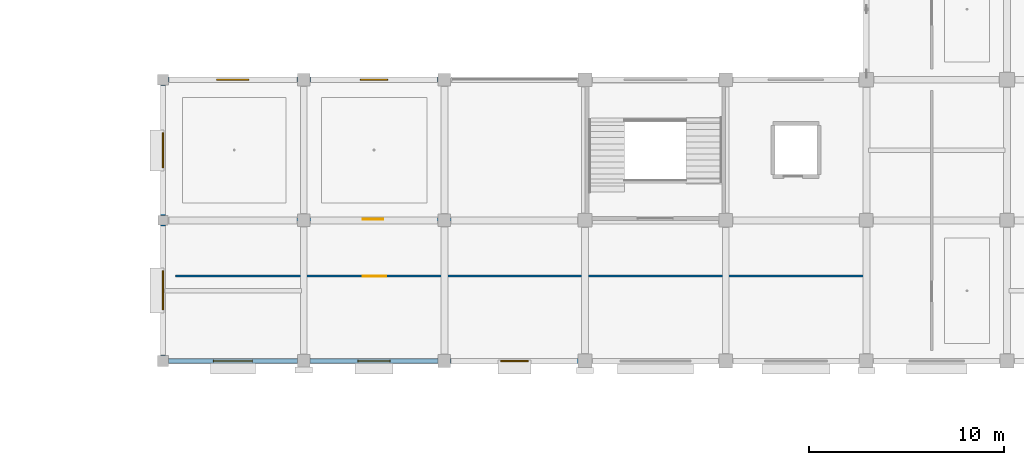
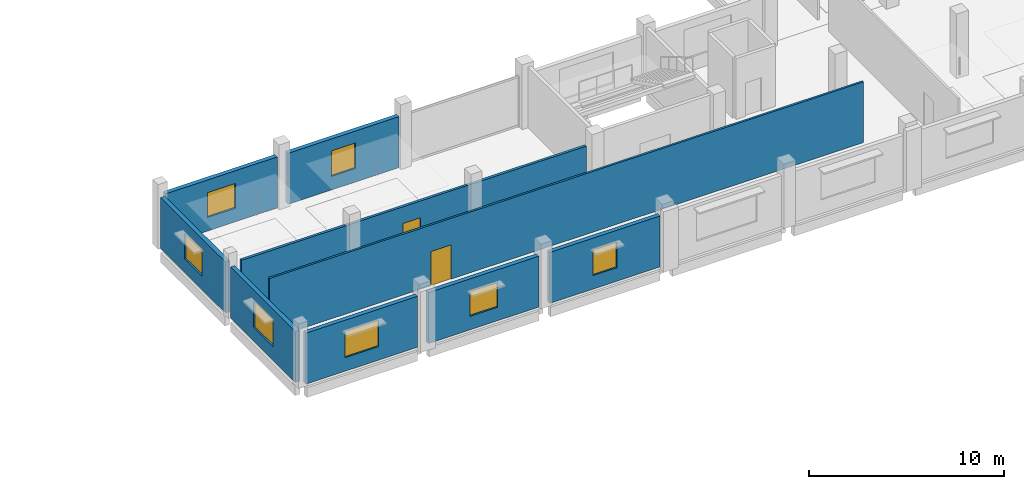
# One storey, part 81 of 108: 9 walls, 7 windows, 2 doors, 9 openings.
"""IFC4 building model written with IfcOpenShell, lengths in metres."""

from ifc_helpers import new_model, si_unit, direction, frame, frame_2d, origin, place, context, subcontext, project, spatial, rectangle, extrude, material, layer, layer_set, type_object, element, fill, save


model = new_model("IFC4")

# Units and contexts
model_context = context("Model", 3, precision=1e-05, world=origin(), true_north=direction((0.0, 1.0)))
body_context = subcontext(model_context, "Body", "Model", "MODEL_VIEW")
ifc_project = project(units=[si_unit("LENGTHUNIT", "METRE"), si_unit("AREAUNIT", "SQUARE_METRE"), si_unit("VOLUMEUNIT", "CUBIC_METRE"), si_unit("PLANEANGLEUNIT", "RADIAN"), si_unit("MASSUNIT", "GRAM", prefix="KILO")], contexts=[model_context])

# Site, building, storey
site_placement = place(None, origin())
site = spatial("IfcSite", under=ifc_project, at=site_placement, CompositionType="ELEMENT")
building_placement = place(site_placement, origin())
building = spatial("IfcBuilding", under=site, at=building_placement, Name="Kangsadwip Square Police Headquarters", CompositionType="ELEMENT")
storey_placement = place(building_placement, frame((0.0, 0.0, 9.449951171875)))
storey = spatial("IfcBuildingStorey", under=building, at=storey_placement, Name="L02", CompositionType="ELEMENT", Elevation=9.449951171875)

# Wall, opening, door
ifc_material_1 = material(Name="Fire-rated double gypsum board acoustic stud partition", Category="masonry")
ifc_layer_1 = layer(ifc_material_1, 0.1201171875)
ifc_layer_set_1 = layer_set([ifc_layer_1], Name="Fire-rated double gypsum board acoustic stud partition")
wall_type_1 = type_object("IfcWallType", Name="AcousticPartition120", PredefinedType="PARTITIONING", material=ifc_layer_set_1)
wall_1_placement = place(storey_placement, frame((108.64990234375, 25.949951171875, 0.0), z_axis=(0.0, 0.0, 1.0), x_axis=(1.0, 0.0, 0.0)))
wall_1 = element("IfcWall", 1, at=wall_1_placement, inside=storey, type_object=wall_type_1, Name="Interior Wall WI-L02-0788", PredefinedType="PARTITIONING", context=body_context, shape_type="SweptSolid", body=[
    extrude(rectangle(XDim=35.2001953125, YDim=0.1201171875, at=frame_2d((17.60009765625, 0.0))), origin(), (0.0, 0.0, 1.0), 3.81005859375),
])
opening_1_placement = place(wall_1_placement, frame((9.570068359375, 0.0, 0.0)))
opening_1 = element("IfcOpeningElement", 2, at=opening_1_placement, cuts=wall_1, Name="Opening ID-12B", PredefinedType="OPENING", context=body_context, shape_type="SweptSolid", body=[
    extrude(rectangle(XDim=1.199951171875, YDim=2.14990234375, at=frame_2d((0.60009765625, 1.074951171875))), frame((0.0, 0.070068359375, 0.0), z_axis=(0.0, -1.0, 0.0), x_axis=(1.0, 0.0, 0.0)), (0.0, 0.0, 1.0), 0.14013671875),
])
ifc_material_2 = material(Name="Solid-core seasoned teak hardwood architectural door", Category="wood")
door_type_1 = type_object("IfcDoorType", Name="ClinicDoor1200x2150", OperationType="NOTDEFINED", PredefinedType="DOOR", material=ifc_material_2)
door_1_placement = place(opening_1_placement, origin())
door_1 = element("IfcDoor", 3, at=door_1_placement, inside=storey, type_object=door_type_1, Name="Interior Door ID-L02-0198", OperationType="SINGLE_SWING_RIGHT", OverallHeight=2.14990234375, OverallWidth=1.199951171875, PredefinedType="DOOR", context=body_context, shape_type="SweptSolid", body=[
    extrude(rectangle(XDim=1.199951171875, YDim=2.14990234375, at=frame_2d((0.60009765625, 1.074951171875))), frame((0.0, 0.02490234375, 0.0), z_axis=(0.0, -1.0, 0.0), x_axis=(1.0, 0.0, 0.0)), (0.0, 0.0, 1.0), 0.050048828125),
])
fill(opening_1, door_1)

ifc_material_3 = material(Name="Autoclaved aerated concrete blockwork masonry", Category="masonry")
ifc_layer_2 = layer(ifc_material_3, 0.14990234375)
ifc_layer_set_2 = layer_set([ifc_layer_2], Name="Autoclaved aerated concrete blockwork masonry")
wall_type_2 = type_object("IfcWallType", Name="BlockPartition150", PredefinedType="PARTITIONING", material=ifc_layer_set_2)
wall_2_placement = place(storey_placement, frame((108.64990234375, 28.85009765625, 0.0), z_axis=(0.0, 0.0, 1.0), x_axis=(1.0, 0.0, 0.0)))
wall_2 = element("IfcWall", 4, at=wall_2_placement, inside=storey, type_object=wall_type_2, Name="Interior Wall WI-L02-0789", PredefinedType="PARTITIONING", context=body_context, shape_type="SweptSolid", body=[
    extrude(rectangle(XDim=20.4501953125, YDim=0.14990234375, at=frame_2d((10.22509765625, 0.0))), origin(), (0.0, 0.0, 1.0), 3.199951171875),
])
opening_2_placement = place(wall_2_placement, frame((9.573974609375, 0.0, 0.0)))
opening_2 = element("IfcOpeningElement", 5, at=opening_2_placement, cuts=wall_2, Name="Opening ID-10A", PredefinedType="OPENING", context=body_context, shape_type="SweptSolid", body=[
    extrude(rectangle(XDim=1.050048828125, YDim=2.14990234375, at=frame_2d((0.52490234375, 1.074951171875))), frame((0.0, 0.0849609375, 0.0), z_axis=(0.0, -1.0, 0.0), x_axis=(1.0, 0.0, 0.0)), (0.0, 0.0, 1.0), 0.169921875),
])
ifc_material_4 = material(Name="Solid-core seasoned teak hardwood architectural door", Category="wood")
door_type_2 = type_object("IfcDoorType", Name="OfficeDoor1050x2150", OperationType="NOTDEFINED", PredefinedType="DOOR", material=ifc_material_4)
door_2_placement = place(opening_2_placement, origin())
door_2 = element("IfcDoor", 6, at=door_2_placement, inside=storey, type_object=door_type_2, Name="Interior Door ID-L02-0199", OperationType="SINGLE_SWING_LEFT", OverallHeight=2.14990234375, OverallWidth=1.050048828125, PredefinedType="DOOR", context=body_context, shape_type="SweptSolid", body=[
    extrude(rectangle(XDim=1.050048828125, YDim=2.14990234375, at=frame_2d((0.52490234375, 1.074951171875))), frame((0.0, 0.02490234375, 0.0), z_axis=(0.0, -1.0, 0.0), x_axis=(1.0, 0.0, 0.0)), (0.0, 0.0, 1.0), 0.050048828125),
])
fill(opening_2, door_2)

# Wall, opening, window
ifc_material_5 = material(Name="Glazed architectural terracotta masonry rainscreen", Category="masonry")
ifc_layer_3 = layer(ifc_material_5, 0.25)
ifc_layer_set_3 = layer_set([ifc_layer_3], Name="Glazed architectural terracotta masonry rainscreen")
wall_type_3 = type_object("IfcWallType", Name="ChicagoTerracottaWall250", PredefinedType="SOLIDWALL", material=ifc_layer_set_3)
wall_3_placement = place(storey_placement, frame((108.27001953125, 21.60009765625, 0.0), z_axis=(0.0, 0.0, 1.0), x_axis=(1.0, 0.0, 0.0)))
wall_3 = element("IfcWall", 7, at=wall_3_placement, inside=storey, type_object=wall_type_3, Name="Exterior Wall WE-L02-295", PredefinedType="SOLIDWALL", context=body_context, shape_type="SweptSolid", body=[
    extrude(rectangle(XDim=6.60986328125, YDim=0.25, at=frame_2d((3.304931640625, 0.0))), origin(), (0.0, 0.0, 1.0), 3.195068359375),
])
opening_3_placement = place(wall_3_placement, frame((2.304931640625, 0.0, 0.85009765625)))
opening_3 = element("IfcOpeningElement", 8, at=opening_3_placement, cuts=wall_3, Name="Opening WN-09", PredefinedType="OPENING", context=body_context, shape_type="SweptSolid", body=[
    extrude(rectangle(XDim=2.0, YDim=1.64990234375, at=frame_2d((1.0, 0.824951171875))), frame((0.0, 0.135009765625, 0.0), z_axis=(0.0, -1.0, 0.0), x_axis=(1.0, 0.0, 0.0)), (0.0, 0.0, 1.0), 0.27001953125),
])
ifc_material_6 = material(Name="Double-glazed solar-control low-E safety glass", Category="glass")
window_type_1 = type_object("IfcWindowType", Name="ChicagoDoubleMullWin2000x1650", PartitioningType="DOUBLE_PANEL_VERTICAL", PredefinedType="WINDOW", material=ifc_material_6)
window_1_placement = place(opening_3_placement, origin())
window_1 = element("IfcWindow", 9, at=window_1_placement, inside=storey, type_object=window_type_1, Name="Window WN-L02-0148", OverallHeight=1.64990234375, OverallWidth=2.0, PartitioningType="SINGLE_PANEL", PredefinedType="WINDOW", context=body_context, shape_type="SweptSolid", body=[
    extrude(rectangle(XDim=2.0, YDim=1.64990234375, at=frame_2d((1.0, 0.824951171875))), frame((0.0, 0.030029296875, 0.0), z_axis=(0.0, -1.0, 0.0), x_axis=(1.0, 0.0, 0.0)), (0.0, 0.0, 1.0), 0.06005859375),
])
fill(opening_3, window_1)

wall_4_placement = place(storey_placement, frame((115.52001953125, 21.60009765625, 0.0), z_axis=(0.0, 0.0, 1.0), x_axis=(1.0, 0.0, 0.0)))
wall_4 = element("IfcWall", 10, at=wall_4_placement, inside=storey, type_object=wall_type_3, Name="Exterior Wall WE-L02-296", PredefinedType="SOLIDWALL", context=body_context, shape_type="SweptSolid", body=[
    extrude(rectangle(XDim=6.56005859375, YDim=0.25, at=frame_2d((3.280029296875, 0.0))), origin(), (0.0, 0.0, 1.0), 3.195068359375),
])
opening_4_placement = place(wall_4_placement, frame((2.455078125, 0.0, 0.85009765625)))
opening_4 = element("IfcOpeningElement", 11, at=opening_4_placement, cuts=wall_4, Name="Opening WN-11", PredefinedType="OPENING", context=body_context, shape_type="SweptSolid", body=[
    extrude(rectangle(XDim=1.64990234375, YDim=1.550048828125, at=frame_2d((0.824951171875, 0.77490234375))), frame((0.0, 0.135009765625, 0.0), z_axis=(0.0, -1.0, 0.0), x_axis=(1.0, 0.0, 0.0)), (0.0, 0.0, 1.0), 0.27001953125),
])
ifc_material_7 = material(Name="Double-glazed solar-control low-E safety glass", Category="glass")
window_type_2 = type_object("IfcWindowType", Name="LabCleanViewWin1650x1550", PartitioningType="SINGLE_PANEL", PredefinedType="WINDOW", material=ifc_material_7)
window_2_placement = place(opening_4_placement, origin())
window_2 = element("IfcWindow", 12, at=window_2_placement, inside=storey, type_object=window_type_2, Name="Window WN-L02-0149", OverallHeight=1.550048828125, OverallWidth=1.64990234375, PartitioningType="SINGLE_PANEL", PredefinedType="WINDOW", context=body_context, shape_type="SweptSolid", body=[
    extrude(rectangle(XDim=1.64990234375, YDim=1.550048828125, at=frame_2d((0.824951171875, 0.77490234375))), frame((0.0, 0.030029296875, 0.0), z_axis=(0.0, -1.0, 0.0), x_axis=(1.0, 0.0, 0.0)), (0.0, 0.0, 1.0), 0.06005859375),
])
fill(opening_4, window_2)

wall_5_placement = place(storey_placement, frame((122.719970703125, 21.60009765625, 0.0), z_axis=(0.0, 0.0, 1.0), x_axis=(1.0, 0.0, 0.0)))
wall_5 = element("IfcWall", 13, at=wall_5_placement, inside=storey, type_object=wall_type_3, Name="Exterior Wall WE-L02-297", PredefinedType="SOLIDWALL", context=body_context, shape_type="SweptSolid", body=[
    extrude(rectangle(XDim=6.534912109375, YDim=0.25, at=frame_2d((3.267578125, 0.0))), origin(), (0.0, 0.0, 1.0), 3.195068359375),
])
opening_5_placement = place(wall_5_placement, frame((2.5673828125, 0.0, 0.85009765625)))
opening_5 = element("IfcOpeningElement", 14, at=opening_5_placement, cuts=wall_5, Name="Opening WN-13", PredefinedType="OPENING", context=body_context, shape_type="SweptSolid", body=[
    extrude(rectangle(XDim=1.39990234375, YDim=1.60009765625, at=frame_2d((0.699951171875, 0.800048828125))), frame((0.0, 0.135009765625, 0.0), z_axis=(0.0, -1.0, 0.0), x_axis=(1.0, 0.0, 0.0)), (0.0, 0.0, 1.0), 0.27001953125),
])
ifc_material_8 = material(Name="Double-glazed solar-control low-E safety glass", Category="glass")
window_type_3 = type_object("IfcWindowType", Name="OfficeCasementWin1400x1600", PartitioningType="SINGLE_PANEL", PredefinedType="WINDOW", material=ifc_material_8)
window_3_placement = place(opening_5_placement, origin())
window_3 = element("IfcWindow", 15, at=window_3_placement, inside=storey, type_object=window_type_3, Name="Window WN-L02-0150", OverallHeight=1.60009765625, OverallWidth=1.39990234375, PartitioningType="SINGLE_PANEL", PredefinedType="WINDOW", context=body_context, shape_type="SweptSolid", body=[
    extrude(rectangle(XDim=1.39990234375, YDim=1.60009765625, at=frame_2d((0.699951171875, 0.800048828125))), frame((0.0, 0.030029296875, 0.0), z_axis=(0.0, -1.0, 0.0), x_axis=(1.0, 0.0, 0.0)), (0.0, 0.0, 1.0), 0.06005859375),
])
fill(opening_5, window_3)

wall_6_placement = place(storey_placement, frame((108.27001953125, 36.0, 0.0), z_axis=(0.0, 0.0, 1.0), x_axis=(1.0, 0.0, 0.0)))
wall_6 = element("IfcWall", 16, at=wall_6_placement, inside=storey, type_object=wall_type_3, Name="Exterior Wall WE-L02-304", PredefinedType="SOLIDWALL", context=body_context, shape_type="SweptSolid", body=[
    extrude(rectangle(XDim=6.60986328125, YDim=0.25, at=frame_2d((3.304931640625, 0.0))), origin(), (0.0, 0.0, 1.0), 3.195068359375),
])
opening_6_placement = place(wall_6_placement, frame((2.47998046875, 0.0, 0.85009765625)))
opening_6 = element("IfcOpeningElement", 17, at=opening_6_placement, cuts=wall_6, Name="Opening WN-11", PredefinedType="OPENING", context=body_context, shape_type="SweptSolid", body=[
    extrude(rectangle(XDim=1.64990234375, YDim=1.550048828125, at=frame_2d((0.824951171875, 0.77490234375))), frame((0.0, 0.135009765625, 0.0), z_axis=(0.0, -1.0, 0.0), x_axis=(1.0, 0.0, 0.0)), (0.0, 0.0, 1.0), 0.27001953125),
])
window_4_placement = place(opening_6_placement, origin())
window_4 = element("IfcWindow", 18, at=window_4_placement, inside=storey, type_object=window_type_2, Name="Window WN-L02-0157", OverallHeight=1.550048828125, OverallWidth=1.64990234375, PartitioningType="SINGLE_PANEL", PredefinedType="WINDOW", context=body_context, shape_type="SweptSolid", body=[
    extrude(rectangle(XDim=1.64990234375, YDim=1.550048828125, at=frame_2d((0.824951171875, 0.77490234375))), frame((0.0, 0.030029296875, 0.0), z_axis=(0.0, -1.0, 0.0), x_axis=(1.0, 0.0, 0.0)), (0.0, 0.0, 1.0), 0.06005859375),
])
fill(opening_6, window_4)

wall_7_placement = place(storey_placement, frame((115.52001953125, 36.0, 0.0), z_axis=(0.0, 0.0, 1.0), x_axis=(1.0, 0.0, 0.0)))
wall_7 = element("IfcWall", 19, at=wall_7_placement, inside=storey, type_object=wall_type_3, Name="Exterior Wall WE-L02-305", PredefinedType="SOLIDWALL", context=body_context, shape_type="SweptSolid", body=[
    extrude(rectangle(XDim=6.56005859375, YDim=0.25, at=frame_2d((3.280029296875, 0.0))), origin(), (0.0, 0.0, 1.0), 3.195068359375),
])
opening_7_placement = place(wall_7_placement, frame((2.580078125, 0.0, 0.85009765625)))
opening_7 = element("IfcOpeningElement", 20, at=opening_7_placement, cuts=wall_7, Name="Opening WN-13", PredefinedType="OPENING", context=body_context, shape_type="SweptSolid", body=[
    extrude(rectangle(XDim=1.39990234375, YDim=1.60009765625, at=frame_2d((0.699951171875, 0.800048828125))), frame((0.0, 0.135009765625, 0.0), z_axis=(0.0, -1.0, 0.0), x_axis=(1.0, 0.0, 0.0)), (0.0, 0.0, 1.0), 0.27001953125),
])
window_5_placement = place(opening_7_placement, origin())
window_5 = element("IfcWindow", 21, at=window_5_placement, inside=storey, type_object=window_type_3, Name="Window WN-L02-0158", OverallHeight=1.60009765625, OverallWidth=1.39990234375, PartitioningType="SINGLE_PANEL", PredefinedType="WINDOW", context=body_context, shape_type="SweptSolid", body=[
    extrude(rectangle(XDim=1.39990234375, YDim=1.60009765625, at=frame_2d((0.699951171875, 0.800048828125))), frame((0.0, 0.030029296875, 0.0), z_axis=(0.0, -1.0, 0.0), x_axis=(1.0, 0.0, 0.0)), (0.0, 0.0, 1.0), 0.06005859375),
])
fill(opening_7, window_5)

wall_8_placement = place(storey_placement, frame((108.0, 21.8701171875, 0.0), z_axis=(0.0, 0.0, 1.0), x_axis=(0.0, 1.0, 0.0)))
wall_8 = element("IfcWall", 22, at=wall_8_placement, inside=storey, type_object=wall_type_3, Name="Exterior Wall WE-L02-342", PredefinedType="SOLIDWALL", context=body_context, shape_type="SweptSolid", body=[
    extrude(rectangle(XDim=6.684814453125, YDim=0.25, at=frame_2d((3.34228515625, 0.0))), origin(), (0.0, 0.0, 1.0), 3.195068359375),
])
opening_8_placement = place(wall_8_placement, frame((2.342529296875, 0.0, 0.85009765625)))
opening_8 = element("IfcOpeningElement", 23, at=opening_8_placement, cuts=wall_8, Name="Opening WN-09", PredefinedType="OPENING", context=body_context, shape_type="SweptSolid", body=[
    extrude(rectangle(XDim=2.0, YDim=1.64990234375, at=frame_2d((1.0, 0.824951171875))), frame((0.0, 0.135009765625, 0.0), z_axis=(0.0, -1.0, 0.0), x_axis=(1.0, 0.0, 0.0)), (0.0, 0.0, 1.0), 0.27001953125),
])
window_6_placement = place(opening_8_placement, origin())
window_6 = element("IfcWindow", 24, at=window_6_placement, inside=storey, type_object=window_type_1, Name="Window WN-L02-0195", OverallHeight=1.64990234375, OverallWidth=2.0, PartitioningType="SINGLE_PANEL", PredefinedType="WINDOW", context=body_context, shape_type="SweptSolid", body=[
    extrude(rectangle(XDim=2.0, YDim=1.64990234375, at=frame_2d((1.0, 0.824951171875))), frame((0.0, 0.030029296875, 0.0), z_axis=(0.0, -1.0, 0.0), x_axis=(1.0, 0.0, 0.0)), (0.0, 0.0, 1.0), 0.06005859375),
])
fill(opening_8, window_6)

wall_9_placement = place(storey_placement, frame((108.0, 29.044921875, 0.0), z_axis=(0.0, 0.0, 1.0), x_axis=(0.0, 1.0, 0.0)))
wall_9 = element("IfcWall", 25, at=wall_9_placement, inside=storey, type_object=wall_type_3, Name="Exterior Wall WE-L02-343", PredefinedType="SOLIDWALL", context=body_context, shape_type="SweptSolid", body=[
    extrude(rectangle(XDim=6.68505859375, YDim=0.25, at=frame_2d((3.342529296875, 0.0))), origin(), (0.0, 0.0, 1.0), 3.195068359375),
])
opening_9_placement = place(wall_9_placement, frame((2.4423828125, 0.0, 0.85009765625)))
opening_9 = element("IfcOpeningElement", 26, at=opening_9_placement, cuts=wall_9, Name="Opening WN-10", PredefinedType="OPENING", context=body_context, shape_type="SweptSolid", body=[
    extrude(rectangle(XDim=1.800048828125, YDim=1.60009765625, at=frame_2d((0.89990234375, 0.800048828125))), frame((0.0, 0.135009765625, 0.0), z_axis=(0.0, -1.0, 0.0), x_axis=(1.0, 0.0, 0.0)), (0.0, 0.0, 1.0), 0.27001953125),
])
ifc_material_9 = material(Name="Double-glazed solar-control low-E safety glass", Category="glass")
window_type_4 = type_object("IfcWindowType", Name="LabCleanViewWin1800x1600", PartitioningType="DOUBLE_PANEL_VERTICAL", PredefinedType="WINDOW", material=ifc_material_9)
window_7_placement = place(opening_9_placement, origin())
window_7 = element("IfcWindow", 27, at=window_7_placement, inside=storey, type_object=window_type_4, Name="Window WN-L02-0196", OverallHeight=1.60009765625, OverallWidth=1.800048828125, PartitioningType="SINGLE_PANEL", PredefinedType="WINDOW", context=body_context, shape_type="SweptSolid", body=[
    extrude(rectangle(XDim=1.800048828125, YDim=1.60009765625, at=frame_2d((0.89990234375, 0.800048828125))), frame((0.0, 0.030029296875, 0.0), z_axis=(0.0, -1.0, 0.0), x_axis=(1.0, 0.0, 0.0)), (0.0, 0.0, 1.0), 0.06005859375),
])
fill(opening_9, window_7)

save(model, "model.ifc")
